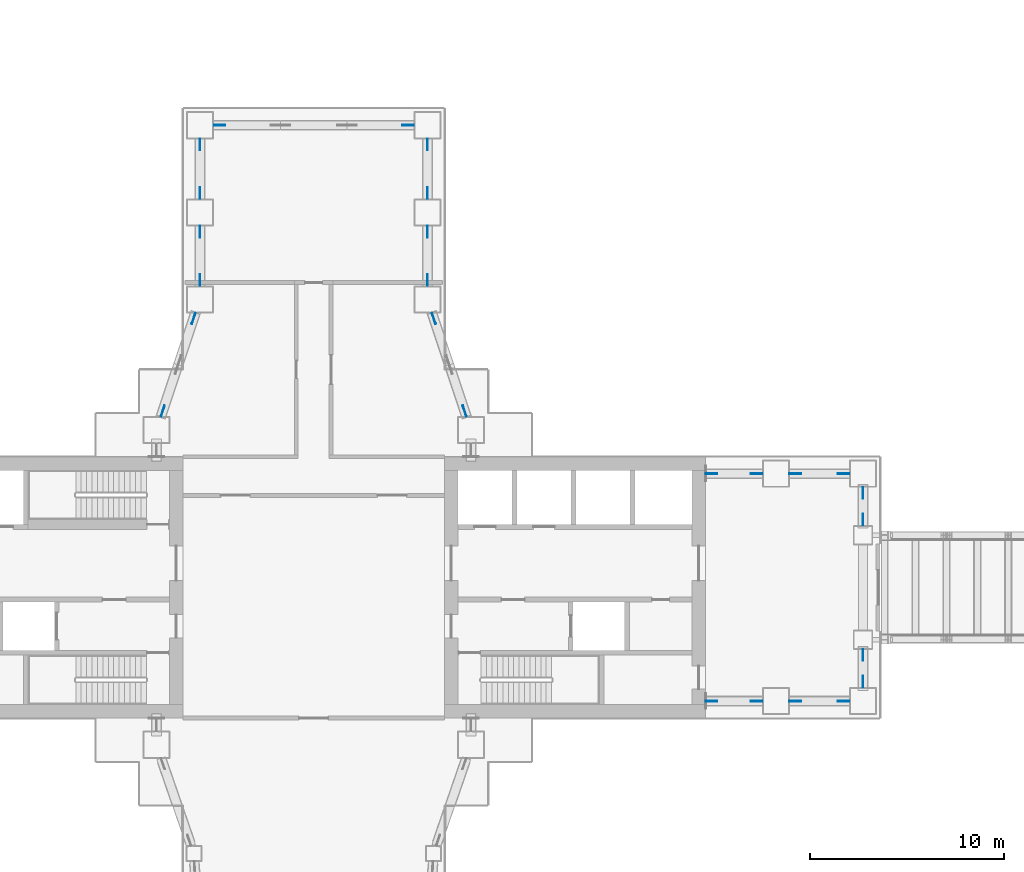
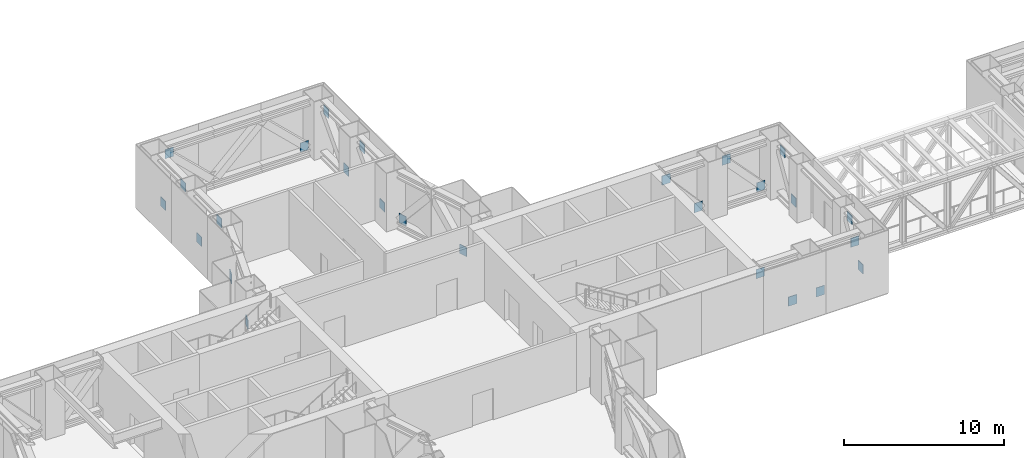
# One storey, part 19 of 23: 26 discrete accessories.
"""IFC4 building model written with IfcOpenShell, lengths in metres."""

import ifcopenshell
import ifcopenshell.guid

model = None  # the IFC model being written
_history = None  # IfcOwnerHistory: only IFC2X3 demands one
_inside = {}  # id of a spatial element -> (the spatial element, [elements in it])
_under = {}  # id of a project, library or spatial element -> (it, [spatial elements below it])
_declared = {}  # id of a project -> (the project, [libraries it declares])
_typed = {}  # id of a type object -> (the type object, [elements of that type])
_made_of = {}  # id of a material, layer set ... -> (it, [elements and type objects made of it])


def new_model(schema):
    """Start an empty IFC model of exactly this schema.

    Asked for "IFC4X3", IfcOpenShell would pick the latest addendum, in which some entities
    have other attributes; the version numbers below select the first issue.
    IFC2X3 requires an IfcOwnerHistory on every rooted entity: one is made here for all.
    """
    global model, _history
    if schema == "IFC4X3":
        model = ifcopenshell.file(schema_version=(4, 3, 0, 0))
    else:
        model = ifcopenshell.file(schema=schema)
    _inside.clear()
    _under.clear()
    _declared.clear()
    _typed.clear()
    _made_of.clear()
    _history = None
    if model.schema == "IFC2X3":
        org = make("IfcOrganization", Name="unknown")
        user = make(
            "IfcPersonAndOrganization",
            ThePerson=make("IfcPerson", FamilyName="unknown"),
            TheOrganization=org,
        )
        app = make(
            "IfcApplication",
            ApplicationDeveloper=org,
            Version="unknown",
            ApplicationFullName="unknown",
            ApplicationIdentifier="unknown",
        )
        _history = make(
            "IfcOwnerHistory",
            OwningUser=user,
            OwningApplication=app,
            ChangeAction="ADDED",
            CreationDate=0,
        )
    return model


def make(cls, **values):
    """One entity of the class cls with the attributes given. An attribute that is None is left unset."""
    return model.create_entity(
        cls, **{name: value for name, value in values.items() if value is not None}
    )


def rooted(cls, **values):
    """An entity with a GlobalId (a new one), such as an element, a storey or a relation."""
    return make(cls, GlobalId=ifcopenshell.guid.new(), OwnerHistory=_history, **values)


def si_unit(unit_type, name, prefix=None):
    """IfcSIUnit, for example si_unit("LENGTHUNIT", "METRE", prefix="MILLI")."""
    return make("IfcSIUnit", UnitType=unit_type, Prefix=prefix, Name=name)


def assignment(units):
    """IfcUnitAssignment: the units of a project."""
    return None if units is None else make("IfcUnitAssignment", Units=units)


def point(xyz):
    """IfcCartesianPoint."""
    return None if xyz is None else make("IfcCartesianPoint", Coordinates=xyz)


def direction(xyz):
    """IfcDirection."""
    return None if xyz is None else make("IfcDirection", DirectionRatios=xyz)


def frame(location, z_axis=None, x_axis=None):
    """IfcAxis2Placement3D, a coordinate frame: its origin and axes. An axis left out is left unset."""
    return make(
        "IfcAxis2Placement3D",
        Location=point(location),
        Axis=direction(z_axis),
        RefDirection=direction(x_axis),
    )


def frame_2d(location, x_axis=None):
    """IfcAxis2Placement2D, a coordinate frame in the plane: its origin and x axis."""
    return make(
        "IfcAxis2Placement2D", Location=point(location), RefDirection=direction(x_axis)
    )


def origin():
    """The frame at (0, 0, 0) with its axes left unset."""
    return frame((0.0, 0.0, 0.0))


def origin_2d():
    """The frame at (0, 0) in the plane with its x axis left unset."""
    return frame_2d((0.0, 0.0))


def place(relative_to, where):
    """IfcLocalPlacement: puts the frame where relative to a parent placement (None: the world)."""
    return make(
        "IfcLocalPlacement", PlacementRelTo=relative_to, RelativePlacement=where
    )


def context(
    kind, dimensions, precision=None, world=None, true_north=None, identifier=None
):
    """IfcGeometricRepresentationContext, for example the 3D "Model" context."""
    return make(
        "IfcGeometricRepresentationContext",
        ContextIdentifier=identifier,
        ContextType=kind,
        CoordinateSpaceDimension=dimensions,
        Precision=precision,
        WorldCoordinateSystem=world,
        TrueNorth=true_north,
    )


def subcontext(parent, identifier, kind, view, scale=None):
    """IfcGeometricRepresentationSubContext, for example "Body" below "Model"."""
    return make(
        "IfcGeometricRepresentationSubContext",
        ContextIdentifier=identifier,
        ContextType=kind,
        ParentContext=parent,
        TargetScale=scale,
        TargetView=view,
    )


def project(units=None, contexts=None):
    """IfcProject with its units and contexts."""
    return rooted(
        "IfcProject",
        Name="project",
        RepresentationContexts=contexts,
        UnitsInContext=assignment(units),
    )


def spatial(cls, under=None, at=None, **own):
    """A site, building, storey or space (cls), placed at a placement, below another one or the project."""
    s = rooted(cls, ObjectPlacement=at, **own)
    if under is not None:
        _under.setdefault(under.id(), (under, []))[1].append(s)
    return s


def profile(cls, at=None, kind="AREA", **sizes):
    """A parametric profile (cls). Its sizes go by their IFC names, for example OverallWidth=200.0."""
    return make(cls, ProfileType=kind, Position=at, **sizes)


def rectangle(**sizes):
    """IfcRectangleProfileDef."""
    return profile("IfcRectangleProfileDef", **sizes)


def extrude(swept, where, along, depth):
    """IfcExtrudedAreaSolid: the profile swept, set in the frame where, extruded along a direction by depth."""
    return make(
        "IfcExtrudedAreaSolid",
        SweptArea=swept,
        Position=where,
        ExtrudedDirection=direction(along),
        Depth=depth,
    )


def shape(context_of_items, identifier, shape_type, items):
    """IfcShapeRepresentation: the items that make up one representation, for example the "Body"."""
    return make(
        "IfcShapeRepresentation",
        ContextOfItems=context_of_items,
        RepresentationIdentifier=identifier,
        RepresentationType=shape_type,
        Items=items,
    )


def material(Name=None, Category=None):
    """IfcMaterial."""
    return make("IfcMaterial", Name=Name, Category=Category)


def layer(
    of_material, thickness, ventilated=None, Name=None, Category=None, Priority=None
):
    """IfcMaterialLayer: one layer of a wall or slab, of a material (None: an air gap)."""
    return make(
        "IfcMaterialLayer",
        Material=of_material,
        LayerThickness=thickness,
        IsVentilated=ventilated,
        Name=Name,
        Category=Category,
        Priority=Priority,
    )


def layer_set(layers, Name=None):
    """IfcMaterialLayerSet."""
    return make("IfcMaterialLayerSet", MaterialLayers=layers, LayerSetName=Name)


def made_of(thing, what):
    """Note that an element or type object is made of a material, layer set ...; save() writes the relation."""
    if what is not None:
        _made_of.setdefault(what.id(), (what, []))[1].append(thing)
    return thing


def type_object(cls, material=None, **own):
    """A type object (cls), such as IfcWallType, which elements share."""
    return made_of(rooted(cls, **own), material)


def element(
    cls,
    number,
    at=None,
    inside=None,
    cuts=None,
    type_object=None,
    material=None,
    context=None,
    identifier="Body",
    shape_type=None,
    held_by="IfcProductDefinitionShape",
    body=None,
    shapes=None,
    **own,
):
    """One element of the class cls, such as IfcWall. Its Tag is "e" and its number.

    at: its placement. inside: the storey or other place that contains it. cuts: it is an
    opening in that element (IfcRelVoidsElement). A single representation is given by context,
    identifier, shape_type and body (its items); several are given by shapes. held_by: the class
    of the entity that holds the representations. save() writes the other relations.
    """
    e = rooted(cls, Tag="e%d" % number, ObjectPlacement=at, **own)
    if body is not None:
        shapes = [shape(context, identifier, shape_type, body)]
    if shapes is not None:
        e.Representation = make(held_by, Representations=shapes)
    if inside is not None:
        _inside.setdefault(inside.id(), (inside, []))[1].append(e)
    if cuts is not None:
        rooted(
            "IfcRelVoidsElement", RelatingBuildingElement=cuts, RelatedOpeningElement=e
        )
    if type_object is not None:
        _typed.setdefault(type_object.id(), (type_object, []))[1].append(e)
    return made_of(e, material)


def aggregate(whole, parts):
    """IfcRelAggregates: a whole, such as a stair, and the parts it consists of."""
    return rooted("IfcRelAggregates", RelatingObject=whole, RelatedObjects=parts)


def save(model, path):
    """Write the relations noted so far, then the file.

    IfcRelAggregates (storeys below a building ...), IfcRelContainedInSpatialStructure (elements
    in a storey), IfcRelDefinesByType, IfcRelAssociatesMaterial and IfcRelDeclares: one each for
    every whole, place, type object, material and project.
    """
    for whole, parts in _under.values():
        aggregate(whole, parts)
    for where, things in _inside.values():
        rooted(
            "IfcRelContainedInSpatialStructure",
            RelatedElements=things,
            RelatingStructure=where,
        )
    for kind, things in _typed.values():
        rooted("IfcRelDefinesByType", RelatedObjects=things, RelatingType=kind)
    for what, things in _made_of.values():
        rooted("IfcRelAssociatesMaterial", RelatedObjects=things, RelatingMaterial=what)
    for by, libraries in _declared.values():
        rooted("IfcRelDeclares", RelatingContext=by, RelatedDefinitions=libraries)
    model.write(path)


model = new_model("IFC4")

# Units and contexts
model_context = context("Model", 3, precision=1e-05, world=origin(), true_north=direction((0.0, 1.0)))
body_context = subcontext(model_context, "Body", "Model", "MODEL_VIEW")
ifc_project = project(units=[si_unit("LENGTHUNIT", "METRE"), si_unit("AREAUNIT", "SQUARE_METRE"), si_unit("VOLUMEUNIT", "CUBIC_METRE"), si_unit("PLANEANGLEUNIT", "RADIAN"), si_unit("MASSUNIT", "GRAM", prefix="KILO")], contexts=[model_context])

# Site, building, storey
site_placement = place(None, origin())
site = spatial("IfcSite", under=ifc_project, at=site_placement, CompositionType="ELEMENT")
building_placement = place(site_placement, origin())
building = spatial("IfcBuilding", under=site, at=building_placement, Name="Shamsa Quay Exchange Towers", CompositionType="ELEMENT")
storey_placement = place(building_placement, frame((0.0, 0.0, 77.10009765625)))
storey = spatial("IfcBuildingStorey", under=building, at=storey_placement, Name="L17", CompositionType="ELEMENT", Elevation=77.10009765625)

# Discrete accessories
ifc_material = material(Name="Steel S355", Category="steel")
ifc_layer = layer(ifc_material, 0.0400390625)
ifc_layer_set = layer_set([ifc_layer], Name="End plate 600x700x40")
discrete_accessory_type = type_object("IfcDiscreteAccessoryType", Name="End plate 600x700x40", PredefinedType="BRACKET", material=ifc_layer_set)
for number, where, z_axis, x_axis, name in (
    (1, (-10.875, -5.875, 0.41943359375), (0.0, 0.0, 1.0), (-1.0, 0.0, 0.0), "End plate T1 L17"),
    (2, (-13.199951171875, -5.875, 3.33056640625), (0.0, 0.0, 1.0), (-1.0, 0.0, 0.0), "End plate T1 L17"),
):
    element("IfcDiscreteAccessory", number, at=place(storey_placement, frame(where, z_axis=z_axis, x_axis=x_axis)), inside=storey, type_object=discrete_accessory_type, Name=name, PredefinedType="BRACKET", context=body_context, shape_type="SweptSolid", body=[
        extrude(rectangle(XDim=0.60009765625, YDim=0.0400390625, at=origin_2d()), origin(), (0.0, 0.0, 1.0), 0.699951171875),
    ])
for number, where, name in (
    (3, (-8.875, -5.875, 0.41943359375), "End plate T1 L17"),
    (4, (-6.375, -5.875, 3.33056640625), "End plate T1 L17"),
):
    element("IfcDiscreteAccessory", number, at=place(storey_placement, frame(where)), inside=storey, type_object=discrete_accessory_type, Name=name, PredefinedType="BRACKET", context=body_context, shape_type="SweptSolid", body=[
        extrude(rectangle(XDim=0.60009765625, YDim=0.0400390625, at=origin_2d()), origin(), (0.0, 0.0, 1.0), 0.699951171875),
    ])
for number, where, z_axis, x_axis, name in (
    (5, (-5.375, -4.875, 0.41943359375), (0.0, 0.0, 1.0), (0.0, 1.0, 0.0), "End plate T1 L17"),
    (6, (-5.375, -3.5, 3.33056640625), (0.0, 0.0, 1.0), (0.0, 1.0, 0.0), "End plate T1 L17"),
    (7, (-5.375, 3.5, 0.41943359375), (0.0, 0.0, 1.0), (0.0, 1.0, 0.0), "End plate T1 L17"),
    (8, (-5.375, 4.875, 3.33056640625), (0.0, 0.0, 1.0), (0.0, 1.0, 0.0), "End plate T1 L17"),
    (9, (-6.375, 5.875, 0.41943359375), (0.0, 0.0, 1.0), (-1.0, 0.0, 0.0), "End plate T1 L17"),
    (10, (-8.875, 5.875, 3.33056640625), (0.0, 0.0, 1.0), (-1.0, 0.0, 0.0), "End plate T1 L17"),
    (11, (-10.875, 5.875, 0.41943359375), (0.0, 0.0, 1.0), (-1.0, 0.0, 0.0), "End plate T1 L17"),
    (12, (-13.199951171875, 5.875, 3.33056640625), (0.0, 0.0, 1.0), (-1.0, 0.0, 0.0), "End plate T1 L17"),
    (13, (-25.953125, 9.109619140625, 0.41943359375), (0.0, 0.0, 1.0), (-0.316227766018, 0.94868329805, 0.0), "End plate T1 L17"),
    (14, (-27.546875, 13.890380859375, 0.41943359375), (0.0, 0.0, 1.0), (-0.316227766018, 0.94868329805, 0.0), "End plate T1 L17"),
    (15, (-27.875, 15.875, 0.41943359375), (0.0, 0.0, 1.0), (0.0, 1.0, 0.0), "End plate T1 L17"),
    (16, (-27.875, 18.375, 3.33056640625), (0.0, 0.0, 1.0), (0.0, 1.0, 0.0), "End plate T1 L17"),
    (17, (-27.875, 20.375, 0.41943359375), (0.0, 0.0, 1.0), (0.0, 1.0, 0.0), "End plate T1 L17"),
    (18, (-27.875, 22.875, 3.33056640625), (0.0, 0.0, 1.0), (0.0, 1.0, 0.0), "End plate T1 L17"),
    (19, (-28.875, 23.875, 0.41943359375), (0.0, 0.0, 1.0), (-1.0, 0.0, 0.0), "End plate T1 L17"),
    (20, (-38.625, 23.875, 3.33056640625), (0.0, 0.0, 1.0), (-1.0, 0.0, 0.0), "End plate T1 L17"),
    (21, (-39.625, 22.875, 0.41943359375), (0.0, 0.0, 1.0), (0.0, -1.0, 0.0), "End plate T1 L17"),
    (22, (-39.625, 20.375, 3.33056640625), (0.0, 0.0, 1.0), (0.0, -1.0, 0.0), "End plate T1 L17"),
    (23, (-39.625, 18.375, 0.41943359375), (0.0, 0.0, 1.0), (0.0, -1.0, 0.0), "End plate T1 L17"),
    (24, (-39.625, 15.875, 3.33056640625), (0.0, 0.0, 1.0), (0.0, -1.0, 0.0), "End plate T1 L17"),
    (25, (-39.953125, 13.890380859375, 0.41943359375), (0.0, 0.0, 1.0), (-0.316227766018, -0.94868329805, 0.0), "End plate T1 L17"),
    (26, (-41.546875, 9.109619140625, 0.41943359375), (0.0, 0.0, 1.0), (-0.316227766018, -0.94868329805, 0.0), "End plate T1 L17"),
):
    element("IfcDiscreteAccessory", number, at=place(storey_placement, frame(where, z_axis=z_axis, x_axis=x_axis)), inside=storey, type_object=discrete_accessory_type, Name=name, PredefinedType="BRACKET", context=body_context, shape_type="SweptSolid", body=[
        extrude(rectangle(XDim=0.60009765625, YDim=0.0400390625, at=origin_2d()), origin(), (0.0, 0.0, 1.0), 0.699951171875),
    ])

save(model, "model.ifc")
